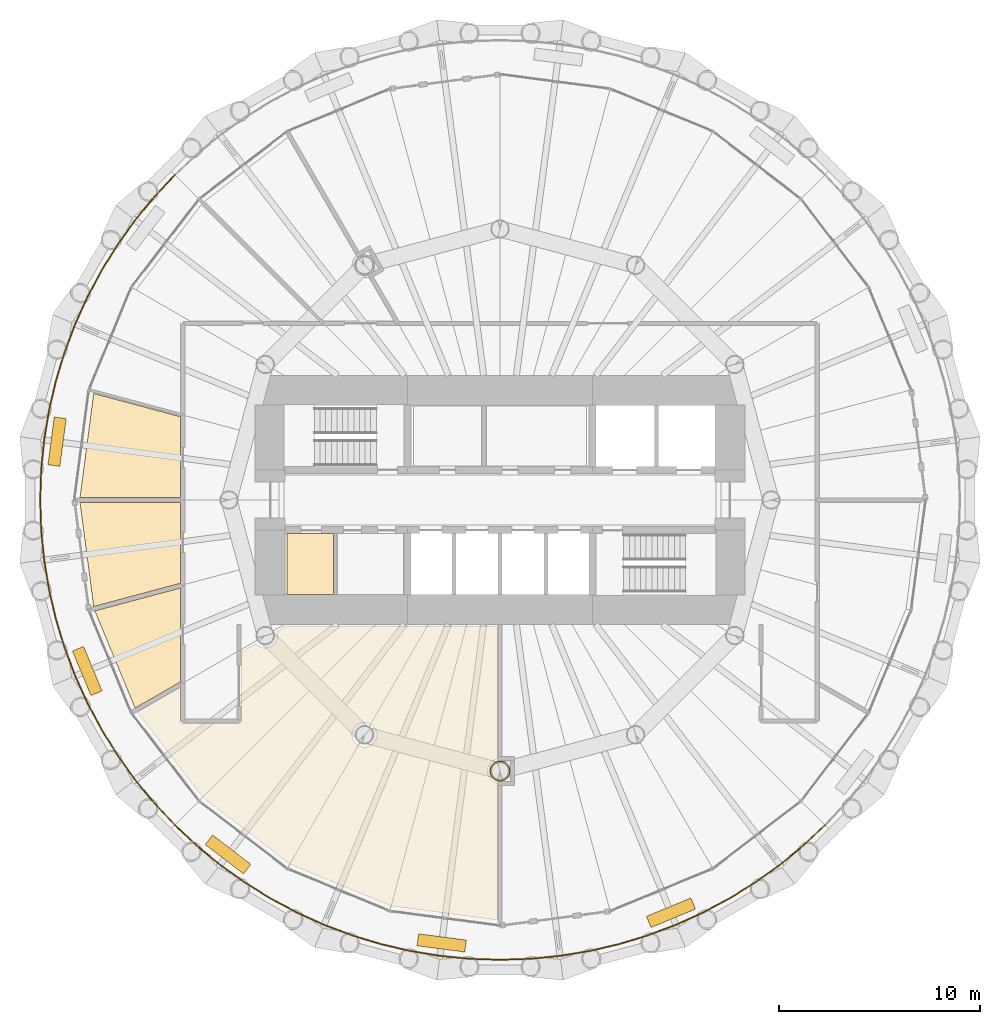
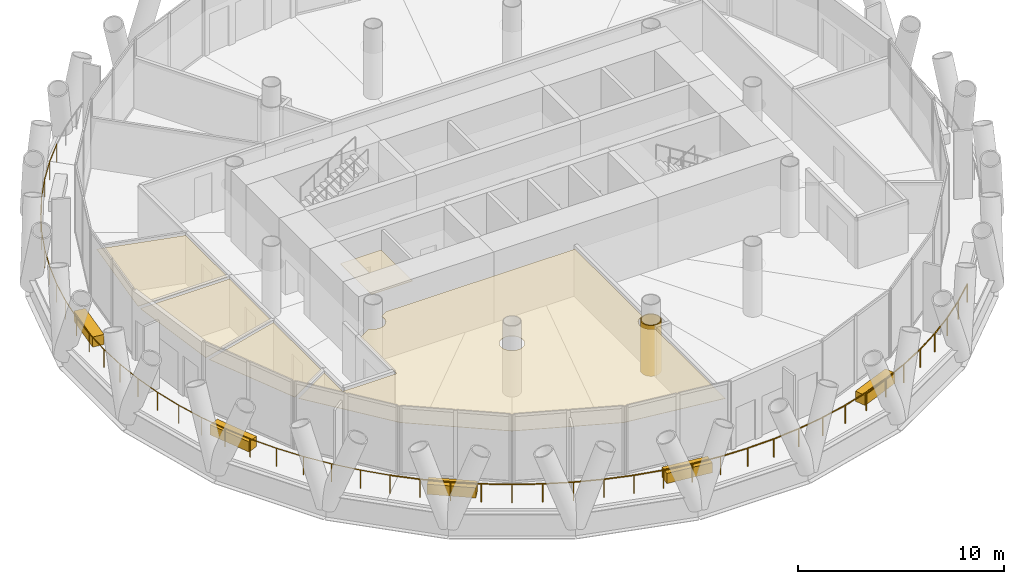
# One storey, part 12 of 14: 11 coverings, 2 railings.
"""IFC4 building model written with IfcOpenShell, lengths in metres."""

from ifc_helpers import new_model, si_unit, direction, frame, origin, origin_2d, place, context, subcontext, project, spatial, polyline, rectangle, circle, outline, extrude, material, layer, layer_set, type_object, element, save


model = new_model("IFC4")

# Units and contexts
model_context = context("Model", 3, precision=1e-05, world=origin(), true_north=direction((0.0, 1.0)))
body_context = subcontext(model_context, "Body", "Model", "MODEL_VIEW")
ifc_project = project(units=[si_unit("LENGTHUNIT", "METRE"), si_unit("AREAUNIT", "SQUARE_METRE"), si_unit("VOLUMEUNIT", "CUBIC_METRE"), si_unit("PLANEANGLEUNIT", "RADIAN"), si_unit("MASSUNIT", "GRAM", prefix="KILO")], contexts=[model_context])

# Site, building, storey
site_placement = place(None, origin())
site = spatial("IfcSite", under=ifc_project, at=site_placement, CompositionType="ELEMENT")
building_placement = place(site_placement, origin())
building = spatial("IfcBuilding", under=site, at=building_placement, Name="Qaws Media Tower", CompositionType="ELEMENT")
storey_placement = place(building_placement, frame((0.0, 0.0, 202.39990234375)))
storey = spatial("IfcBuildingStorey", under=building, at=storey_placement, Name="L46", CompositionType="ELEMENT", Elevation=202.39990234375)

# Railings
ifc_material_1 = material(Name="Stainless steel and glass guard", Category="steel")
railing_type = type_object("IfcRailingType", Name="Balcony guard 1100", PredefinedType="GUARDRAIL", material=ifc_material_1)
railing_1_placement = place(storey_placement, frame((43.807373046875, 66.192626953125, 0.0)))
element("IfcRailing", 1, at=railing_1_placement, inside=storey, type_object=railing_type, Name="GR1 balcony guard L46-2", PredefinedType="GUARDRAIL", context=body_context, shape_type="SweptSolid", body=[
    extrude(circle(Radius=0.02392578125, at=origin_2d()), frame((0.0, 0.0, 1.076171875), z_axis=(-0.683675509579, -0.729786131412, 0.0), x_axis=(0.729786131412, -0.683675509579, 0.0)), (0.0, 0.0, 1.0), 1.498291015625),
    extrude(circle(Radius=0.02392578125, at=origin_2d()), frame((-1.0244140625, -1.093505859375, 1.076171875), z_axis=(-0.634381518416, -0.773020109112, 0.0), x_axis=(0.773020109112, -0.634381518416, 0.0)), (0.0, 0.0, 1.0), 1.49853515625),
    extrude(circle(Radius=0.02392578125, at=origin_2d()), frame((-1.97509765625, -2.251953125, 1.076171875), z_axis=(-0.582578137613, -0.812774700378, 0.0), x_axis=(0.812774700378, -0.582578137613, 0.0)), (0.0, 0.0, 1.0), 1.49853515625),
    extrude(circle(Radius=0.02392578125, at=origin_2d()), frame((-2.84814453125, -3.469970703125, 1.076171875), z_axis=(-0.527991284342, -0.84924978873, 0.0), x_axis=(0.84924978873, -0.527991284342, 0.0)), (0.0, 0.0, 1.0), 1.49853515625),
    extrude(circle(Radius=0.02392578125, at=origin_2d()), frame((-3.639404296875, -4.74267578125, 1.076171875), z_axis=(-0.471357606408, -0.881942178876, 0.0), x_axis=(0.881942178876, -0.471357606408, 0.0)), (0.0, 0.0, 1.0), 1.49853515625),
    extrude(circle(Radius=0.02392578125, at=origin_2d()), frame((-4.345703125, -6.064208984375, 1.076171875), z_axis=(-0.412673353066, -0.910879082902, 0.0), x_axis=(0.910879082902, -0.412673353066, 0.0)), (0.0, 0.0, 1.0), 1.49853515625),
    extrude(circle(Radius=0.02392578125, at=origin_2d()), frame((-4.964111328125, -7.42919921875, 1.076171875), z_axis=(-0.352408662738, -0.935846213022, 0.0), x_axis=(0.935846213022, -0.352408662738, 0.0)), (0.0, 0.0, 1.0), 1.49853515625),
    extrude(circle(Radius=0.02392578125, at=origin_2d()), frame((-5.4921875, -8.83154296875, 1.076171875), z_axis=(-0.290156607475, -0.956979175917, 0.0), x_axis=(0.956979175917, -0.290156607475, 0.0)), (0.0, 0.0, 1.0), 1.49853515625),
    extrude(circle(Radius=0.02392578125, at=origin_2d()), frame((-5.927001953125, -10.265625, 1.076171875), z_axis=(-0.227095715315, -0.973872443437, 0.0), x_axis=(0.973872443437, -0.227095715315, 0.0)), (0.0, 0.0, 1.0), 1.49853515625),
    extrude(circle(Radius=0.02392578125, at=origin_2d()), frame((-6.267333984375, -11.72509765625, 1.076171875), z_axis=(-0.162919318839, -0.98663939489, 0.0), x_axis=(0.98663939489, -0.162919318839, 0.0)), (0.0, 0.0, 1.0), 1.49853515625),
    extrude(circle(Radius=0.02392578125, at=origin_2d()), frame((-6.511474609375, -13.20361328125, 1.076171875), z_axis=(-0.098084027218, -0.995178136619, 0.0), x_axis=(0.995178136619, -0.098084027218, 0.0)), (0.0, 0.0, 1.0), 1.49853515625),
    extrude(circle(Radius=0.02392578125, at=origin_2d()), frame((-6.658447265625, -14.69482421875, 1.076171875), z_axis=(-0.032582528068, -0.999469048478, 0.0), x_axis=(0.999469048478, -0.032582528068, 0.0)), (0.0, 0.0, 1.0), 1.49853515625),
    extrude(circle(Radius=0.02392578125, at=origin_2d()), frame((-6.707275390625, -16.192626953125, 1.076171875), z_axis=(0.032582528068, -0.999469048478, 0.0), x_axis=(0.999469048478, 0.032582528068, 0.0)), (0.0, 0.0, 1.0), 1.49853515625),
    extrude(circle(Radius=0.02392578125, at=origin_2d()), frame((-6.658447265625, -17.6904296875, 1.076171875), z_axis=(0.098084027218, -0.995178136619, 0.0), x_axis=(0.995178136619, 0.098084027218, 0.0)), (0.0, 0.0, 1.0), 1.49853515625),
    extrude(circle(Radius=0.02392578125, at=origin_2d()), frame((-6.511474609375, -19.181640625, 1.076171875), z_axis=(0.162919318839, -0.98663939489, 0.0), x_axis=(0.98663939489, 0.162919318839, 0.0)), (0.0, 0.0, 1.0), 1.49853515625),
    extrude(circle(Radius=0.02392578125, at=origin_2d()), frame((-6.267333984375, -20.66015625, 1.076171875), z_axis=(0.227095715315, -0.973872443437, 0.0), x_axis=(0.973872443437, 0.227095715315, 0.0)), (0.0, 0.0, 1.0), 1.49853515625),
    extrude(circle(Radius=0.02392578125, at=origin_2d()), frame((-5.927001953125, -22.11962890625, 1.076171875), z_axis=(0.290156607475, -0.956979175917, 0.0), x_axis=(0.956979175917, 0.290156607475, 0.0)), (0.0, 0.0, 1.0), 1.49853515625),
    extrude(circle(Radius=0.02392578125, at=origin_2d()), frame((-5.4921875, -23.5537109375, 1.076171875), z_axis=(0.352408662738, -0.935846213022, 0.0), x_axis=(0.935846213022, 0.352408662738, 0.0)), (0.0, 0.0, 1.0), 1.49853515625),
    extrude(circle(Radius=0.02392578125, at=origin_2d()), frame((-4.964111328125, -24.9560546875, 1.076171875), z_axis=(0.412673353066, -0.910879082902, 0.0), x_axis=(0.910879082902, 0.412673353066, 0.0)), (0.0, 0.0, 1.0), 1.49853515625),
    extrude(circle(Radius=0.02392578125, at=origin_2d()), frame((-4.345703125, -26.321044921875, 1.076171875), z_axis=(0.471357606408, -0.881942178876, 0.0), x_axis=(0.881942178876, 0.471357606408, 0.0)), (0.0, 0.0, 1.0), 1.49853515625),
    extrude(circle(Radius=0.02392578125, at=origin_2d()), frame((-3.639404296875, -27.642578125, 1.076171875), z_axis=(0.527991284342, -0.84924978873, 0.0), x_axis=(0.84924978873, 0.527991284342, 0.0)), (0.0, 0.0, 1.0), 1.49853515625),
    extrude(circle(Radius=0.02392578125, at=origin_2d()), frame((-2.84814453125, -28.915283203125, 1.076171875), z_axis=(0.582578137613, -0.812774700378, 0.0), x_axis=(0.812774700378, 0.582578137613, 0.0)), (0.0, 0.0, 1.0), 1.49853515625),
    extrude(circle(Radius=0.02392578125, at=origin_2d()), frame((-1.97509765625, -30.13330078125, 1.076171875), z_axis=(0.634381518416, -0.773020109112, 0.0), x_axis=(0.773020109112, 0.634381518416, 0.0)), (0.0, 0.0, 1.0), 1.49853515625),
    extrude(circle(Radius=0.02392578125, at=origin_2d()), frame((-1.0244140625, -31.291748046875, 1.076171875), z_axis=(0.683675509579, -0.729786131412, 0.0), x_axis=(0.729786131412, 0.683675509579, 0.0)), (0.0, 0.0, 1.0), 1.498291015625),
    extrude(circle(Radius=0.02099609375, at=origin_2d()), origin(), (0.0, 0.0, 1.0), 1.052001953125),
    extrude(circle(Radius=0.02099609375, at=origin_2d()), frame((-1.0244140625, -1.093505859375, 0.0)), (0.0, 0.0, 1.0), 1.052001953125),
    extrude(circle(Radius=0.02099609375, at=origin_2d()), frame((-1.97509765625, -2.251953125, 0.0)), (0.0, 0.0, 1.0), 1.052001953125),
    extrude(circle(Radius=0.02099609375, at=origin_2d()), frame((-2.84814453125, -3.469970703125, 0.0)), (0.0, 0.0, 1.0), 1.052001953125),
    extrude(circle(Radius=0.02099609375, at=origin_2d()), frame((-3.639404296875, -4.74267578125, 0.0)), (0.0, 0.0, 1.0), 1.052001953125),
    extrude(circle(Radius=0.02099609375, at=origin_2d()), frame((-4.345703125, -6.064208984375, 0.0)), (0.0, 0.0, 1.0), 1.052001953125),
    extrude(circle(Radius=0.02099609375, at=origin_2d()), frame((-4.964111328125, -7.42919921875, 0.0)), (0.0, 0.0, 1.0), 1.052001953125),
    extrude(circle(Radius=0.02099609375, at=origin_2d()), frame((-5.4921875, -8.83154296875, 0.0)), (0.0, 0.0, 1.0), 1.052001953125),
    extrude(circle(Radius=0.02099609375, at=origin_2d()), frame((-5.927001953125, -10.265625, 0.0)), (0.0, 0.0, 1.0), 1.052001953125),
    extrude(circle(Radius=0.02099609375, at=origin_2d()), frame((-6.267333984375, -11.72509765625, 0.0)), (0.0, 0.0, 1.0), 1.052001953125),
    extrude(circle(Radius=0.02099609375, at=origin_2d()), frame((-6.511474609375, -13.20361328125, 0.0)), (0.0, 0.0, 1.0), 1.052001953125),
    extrude(circle(Radius=0.02099609375, at=origin_2d()), frame((-6.658447265625, -14.69482421875, 0.0)), (0.0, 0.0, 1.0), 1.052001953125),
    extrude(circle(Radius=0.02099609375, at=origin_2d()), frame((-6.707275390625, -16.192626953125, 0.0)), (0.0, 0.0, 1.0), 1.052001953125),
    extrude(circle(Radius=0.02099609375, at=origin_2d()), frame((-6.658447265625, -17.6904296875, 0.0)), (0.0, 0.0, 1.0), 1.052001953125),
    extrude(circle(Radius=0.02099609375, at=origin_2d()), frame((-6.511474609375, -19.181640625, 0.0)), (0.0, 0.0, 1.0), 1.052001953125),
    extrude(circle(Radius=0.02099609375, at=origin_2d()), frame((-6.267333984375, -20.66015625, 0.0)), (0.0, 0.0, 1.0), 1.052001953125),
    extrude(circle(Radius=0.02099609375, at=origin_2d()), frame((-5.927001953125, -22.11962890625, 0.0)), (0.0, 0.0, 1.0), 1.052001953125),
    extrude(circle(Radius=0.02099609375, at=origin_2d()), frame((-5.4921875, -23.5537109375, 0.0)), (0.0, 0.0, 1.0), 1.052001953125),
    extrude(circle(Radius=0.02099609375, at=origin_2d()), frame((-4.964111328125, -24.9560546875, 0.0)), (0.0, 0.0, 1.0), 1.052001953125),
    extrude(circle(Radius=0.02099609375, at=origin_2d()), frame((-4.345703125, -26.321044921875, 0.0)), (0.0, 0.0, 1.0), 1.052001953125),
    extrude(circle(Radius=0.02099609375, at=origin_2d()), frame((-3.639404296875, -27.642578125, 0.0)), (0.0, 0.0, 1.0), 1.052001953125),
    extrude(circle(Radius=0.02099609375, at=origin_2d()), frame((-2.84814453125, -28.915283203125, 0.0)), (0.0, 0.0, 1.0), 1.052001953125),
    extrude(circle(Radius=0.02099609375, at=origin_2d()), frame((-1.97509765625, -30.13330078125, 0.0)), (0.0, 0.0, 1.0), 1.052001953125),
    extrude(circle(Radius=0.02099609375, at=origin_2d()), frame((-1.0244140625, -31.291748046875, 0.0)), (0.0, 0.0, 1.0), 1.052001953125),
    extrude(circle(Radius=0.02099609375, at=origin_2d()), frame((0.0, -32.38525390625, 0.0)), (0.0, 0.0, 1.0), 1.052001953125),
])
railing_2_placement = place(storey_placement, frame((43.807373046875, 33.807373046875, 0.0)))
element("IfcRailing", 2, at=railing_2_placement, inside=storey, type_object=railing_type, Name="GR1 balcony guard L46-3", PredefinedType="GUARDRAIL", context=body_context, shape_type="SweptSolid", body=[
    extrude(circle(Radius=0.02392578125, at=origin_2d()), frame((0.0, 0.0, 1.076171875), z_axis=(0.729786131412, -0.683675509579, 0.0), x_axis=(0.683675509579, 0.729786131412, 0.0)), (0.0, 0.0, 1.0), 1.498291015625),
    extrude(circle(Radius=0.02392578125, at=origin_2d()), frame((1.093505859375, -1.0244140625, 1.076171875), z_axis=(0.773020109112, -0.634381518416, 0.0), x_axis=(0.634381518416, 0.773020109112, 0.0)), (0.0, 0.0, 1.0), 1.49853515625),
    extrude(circle(Radius=0.02392578125, at=origin_2d()), frame((2.251953125, -1.97509765625, 1.076171875), z_axis=(0.812774700378, -0.582578137613, 0.0), x_axis=(0.582578137613, 0.812774700378, 0.0)), (0.0, 0.0, 1.0), 1.49853515625),
    extrude(circle(Radius=0.02392578125, at=origin_2d()), frame((3.469970703125, -2.84814453125, 1.076171875), z_axis=(0.84924978873, -0.527991284342, 0.0), x_axis=(0.527991284342, 0.84924978873, 0.0)), (0.0, 0.0, 1.0), 1.49853515625),
    extrude(circle(Radius=0.02392578125, at=origin_2d()), frame((4.74267578125, -3.639404296875, 1.076171875), z_axis=(0.881942178876, -0.471357606408, 0.0), x_axis=(0.471357606408, 0.881942178876, 0.0)), (0.0, 0.0, 1.0), 1.49853515625),
    extrude(circle(Radius=0.02392578125, at=origin_2d()), frame((6.064208984375, -4.345703125, 1.076171875), z_axis=(0.910879082902, -0.412673353066, 0.0), x_axis=(0.412673353066, 0.910879082902, 0.0)), (0.0, 0.0, 1.0), 1.49853515625),
    extrude(circle(Radius=0.02392578125, at=origin_2d()), frame((7.42919921875, -4.964111328125, 1.076171875), z_axis=(0.935846213022, -0.352408662738, 0.0), x_axis=(0.352408662738, 0.935846213022, 0.0)), (0.0, 0.0, 1.0), 1.49853515625),
    extrude(circle(Radius=0.02392578125, at=origin_2d()), frame((8.83154296875, -5.4921875, 1.076171875), z_axis=(0.956979175917, -0.290156607475, 0.0), x_axis=(0.290156607475, 0.956979175917, 0.0)), (0.0, 0.0, 1.0), 1.49853515625),
    extrude(circle(Radius=0.02392578125, at=origin_2d()), frame((10.265625, -5.927001953125, 1.076171875), z_axis=(0.973872443437, -0.227095715315, 0.0), x_axis=(0.227095715315, 0.973872443437, 0.0)), (0.0, 0.0, 1.0), 1.49853515625),
    extrude(circle(Radius=0.02392578125, at=origin_2d()), frame((11.72509765625, -6.267333984375, 1.076171875), z_axis=(0.98663939489, -0.162919318839, 0.0), x_axis=(0.162919318839, 0.98663939489, 0.0)), (0.0, 0.0, 1.0), 1.49853515625),
    extrude(circle(Radius=0.02392578125, at=origin_2d()), frame((13.20361328125, -6.511474609375, 1.076171875), z_axis=(0.995178136619, -0.098084027218, 0.0), x_axis=(0.098084027218, 0.995178136619, 0.0)), (0.0, 0.0, 1.0), 1.49853515625),
    extrude(circle(Radius=0.02392578125, at=origin_2d()), frame((14.69482421875, -6.658447265625, 1.076171875), z_axis=(0.999469048478, -0.032582528068, 0.0), x_axis=(0.032582528068, 0.999469048478, 0.0)), (0.0, 0.0, 1.0), 1.49853515625),
    extrude(circle(Radius=0.02392578125, at=origin_2d()), frame((16.192626953125, -6.707275390625, 1.076171875), z_axis=(0.999469048478, 0.032582528068, 0.0), x_axis=(-0.032582528068, 0.999469048478, 0.0)), (0.0, 0.0, 1.0), 1.49853515625),
    extrude(circle(Radius=0.02392578125, at=origin_2d()), frame((17.6904296875, -6.658447265625, 1.076171875), z_axis=(0.995178136619, 0.098084027218, 0.0), x_axis=(-0.098084027218, 0.995178136619, 0.0)), (0.0, 0.0, 1.0), 1.49853515625),
    extrude(circle(Radius=0.02392578125, at=origin_2d()), frame((19.181640625, -6.511474609375, 1.076171875), z_axis=(0.98663939489, 0.162919318839, 0.0), x_axis=(-0.162919318839, 0.98663939489, 0.0)), (0.0, 0.0, 1.0), 1.49853515625),
    extrude(circle(Radius=0.02392578125, at=origin_2d()), frame((20.66015625, -6.267333984375, 1.076171875), z_axis=(0.973872443437, 0.227095715315, 0.0), x_axis=(-0.227095715315, 0.973872443437, 0.0)), (0.0, 0.0, 1.0), 1.49853515625),
    extrude(circle(Radius=0.02392578125, at=origin_2d()), frame((22.11962890625, -5.927001953125, 1.076171875), z_axis=(0.956979175917, 0.290156607475, 0.0), x_axis=(-0.290156607475, 0.956979175917, 0.0)), (0.0, 0.0, 1.0), 1.49853515625),
    extrude(circle(Radius=0.02392578125, at=origin_2d()), frame((23.5537109375, -5.4921875, 1.076171875), z_axis=(0.935846213022, 0.352408662738, 0.0), x_axis=(-0.352408662738, 0.935846213022, 0.0)), (0.0, 0.0, 1.0), 1.49853515625),
    extrude(circle(Radius=0.02392578125, at=origin_2d()), frame((24.9560546875, -4.964111328125, 1.076171875), z_axis=(0.910879082902, 0.412673353066, 0.0), x_axis=(-0.412673353066, 0.910879082902, 0.0)), (0.0, 0.0, 1.0), 1.49853515625),
    extrude(circle(Radius=0.02392578125, at=origin_2d()), frame((26.321044921875, -4.345703125, 1.076171875), z_axis=(0.881942178876, 0.471357606408, 0.0), x_axis=(-0.471357606408, 0.881942178876, 0.0)), (0.0, 0.0, 1.0), 1.49853515625),
    extrude(circle(Radius=0.02392578125, at=origin_2d()), frame((27.642578125, -3.639404296875, 1.076171875), z_axis=(0.84924978873, 0.527991284342, 0.0), x_axis=(-0.527991284342, 0.84924978873, 0.0)), (0.0, 0.0, 1.0), 1.49853515625),
    extrude(circle(Radius=0.02392578125, at=origin_2d()), frame((28.915283203125, -2.84814453125, 1.076171875), z_axis=(0.812774700378, 0.582578137613, 0.0), x_axis=(-0.582578137613, 0.812774700378, 0.0)), (0.0, 0.0, 1.0), 1.49853515625),
    extrude(circle(Radius=0.02392578125, at=origin_2d()), frame((30.13330078125, -1.97509765625, 1.076171875), z_axis=(0.773020109112, 0.634381518416, 0.0), x_axis=(-0.634381518416, 0.773020109112, 0.0)), (0.0, 0.0, 1.0), 1.49853515625),
    extrude(circle(Radius=0.02392578125, at=origin_2d()), frame((31.291748046875, -1.0244140625, 1.076171875), z_axis=(0.729786131412, 0.683675509579, 0.0), x_axis=(-0.683675509579, 0.729786131412, 0.0)), (0.0, 0.0, 1.0), 1.498291015625),
    extrude(circle(Radius=0.02099609375, at=origin_2d()), origin(), (0.0, 0.0, 1.0), 1.052001953125),
    extrude(circle(Radius=0.02099609375, at=origin_2d()), frame((1.093505859375, -1.0244140625, 0.0)), (0.0, 0.0, 1.0), 1.052001953125),
    extrude(circle(Radius=0.02099609375, at=origin_2d()), frame((2.251953125, -1.97509765625, 0.0)), (0.0, 0.0, 1.0), 1.052001953125),
    extrude(circle(Radius=0.02099609375, at=origin_2d()), frame((3.469970703125, -2.84814453125, 0.0)), (0.0, 0.0, 1.0), 1.052001953125),
    extrude(circle(Radius=0.02099609375, at=origin_2d()), frame((4.74267578125, -3.639404296875, 0.0)), (0.0, 0.0, 1.0), 1.052001953125),
    extrude(circle(Radius=0.02099609375, at=origin_2d()), frame((6.064208984375, -4.345703125, 0.0)), (0.0, 0.0, 1.0), 1.052001953125),
    extrude(circle(Radius=0.02099609375, at=origin_2d()), frame((7.42919921875, -4.964111328125, 0.0)), (0.0, 0.0, 1.0), 1.052001953125),
    extrude(circle(Radius=0.02099609375, at=origin_2d()), frame((8.83154296875, -5.4921875, 0.0)), (0.0, 0.0, 1.0), 1.052001953125),
    extrude(circle(Radius=0.02099609375, at=origin_2d()), frame((10.265625, -5.927001953125, 0.0)), (0.0, 0.0, 1.0), 1.052001953125),
    extrude(circle(Radius=0.02099609375, at=origin_2d()), frame((11.72509765625, -6.267333984375, 0.0)), (0.0, 0.0, 1.0), 1.052001953125),
    extrude(circle(Radius=0.02099609375, at=origin_2d()), frame((13.20361328125, -6.511474609375, 0.0)), (0.0, 0.0, 1.0), 1.052001953125),
    extrude(circle(Radius=0.02099609375, at=origin_2d()), frame((14.69482421875, -6.658447265625, 0.0)), (0.0, 0.0, 1.0), 1.052001953125),
    extrude(circle(Radius=0.02099609375, at=origin_2d()), frame((16.192626953125, -6.707275390625, 0.0)), (0.0, 0.0, 1.0), 1.052001953125),
    extrude(circle(Radius=0.02099609375, at=origin_2d()), frame((17.6904296875, -6.658447265625, 0.0)), (0.0, 0.0, 1.0), 1.052001953125),
    extrude(circle(Radius=0.02099609375, at=origin_2d()), frame((19.181640625, -6.511474609375, 0.0)), (0.0, 0.0, 1.0), 1.052001953125),
    extrude(circle(Radius=0.02099609375, at=origin_2d()), frame((20.66015625, -6.267333984375, 0.0)), (0.0, 0.0, 1.0), 1.052001953125),
    extrude(circle(Radius=0.02099609375, at=origin_2d()), frame((22.11962890625, -5.927001953125, 0.0)), (0.0, 0.0, 1.0), 1.052001953125),
    extrude(circle(Radius=0.02099609375, at=origin_2d()), frame((23.5537109375, -5.4921875, 0.0)), (0.0, 0.0, 1.0), 1.052001953125),
    extrude(circle(Radius=0.02099609375, at=origin_2d()), frame((24.9560546875, -4.964111328125, 0.0)), (0.0, 0.0, 1.0), 1.052001953125),
    extrude(circle(Radius=0.02099609375, at=origin_2d()), frame((26.321044921875, -4.345703125, 0.0)), (0.0, 0.0, 1.0), 1.052001953125),
    extrude(circle(Radius=0.02099609375, at=origin_2d()), frame((27.642578125, -3.639404296875, 0.0)), (0.0, 0.0, 1.0), 1.052001953125),
    extrude(circle(Radius=0.02099609375, at=origin_2d()), frame((28.915283203125, -2.84814453125, 0.0)), (0.0, 0.0, 1.0), 1.052001953125),
    extrude(circle(Radius=0.02099609375, at=origin_2d()), frame((30.13330078125, -1.97509765625, 0.0)), (0.0, 0.0, 1.0), 1.052001953125),
    extrude(circle(Radius=0.02099609375, at=origin_2d()), frame((31.291748046875, -1.0244140625, 0.0)), (0.0, 0.0, 1.0), 1.052001953125),
    extrude(circle(Radius=0.02099609375, at=origin_2d()), frame((32.38525390625, 0.0, 0.0)), (0.0, 0.0, 1.0), 1.052001953125),
])

# Coverings
ifc_material_2 = material(Name="Two layers 15 fire-rated gypsum board on steel framing", Category="steel")
ifc_layer_1 = layer(ifc_material_2, 0.050048828125)
ifc_layer_set_1 = layer_set([ifc_layer_1], Name="Column fire casing")
covering_type_1 = type_object("IfcCoveringType", Name="Column fire casing", PredefinedType="CLADDING", material=ifc_layer_set_1)
covering_1_placement = place(storey_placement, origin())
element("IfcCovering", 3, at=covering_1_placement, inside=storey, type_object=covering_type_1, Name="CC1 column casing L46", PredefinedType="CLADDING", context=body_context, shape_type="SweptSolid", body=[
    extrude(outline(polyline([(60.511962890625, 36.5), (60.507568359375, 36.43310546875), (60.49462890625, 36.367431640625), (60.472900390625, 36.30419921875), (60.443359375, 36.243896484375), (60.40625, 36.188232421875), (60.362060546875, 36.137939453125), (60.311767578125, 36.09375), (60.256103515625, 36.056640625), (60.19580078125, 36.027099609375), (60.132568359375, 36.00537109375), (60.06689453125, 35.992431640625), (60.0, 35.988037109375), (59.93310546875, 35.992431640625), (59.867431640625, 36.00537109375), (59.80419921875, 36.027099609375), (59.743896484375, 36.056640625), (59.688232421875, 36.09375), (59.637939453125, 36.137939453125), (59.59375, 36.188232421875), (59.556640625, 36.243896484375), (59.527099609375, 36.30419921875), (59.50537109375, 36.367431640625), (59.492431640625, 36.43310546875), (59.488037109375, 36.5), (59.492431640625, 36.56689453125), (59.50537109375, 36.632568359375), (59.527099609375, 36.69580078125), (59.556640625, 36.756103515625), (59.59375, 36.811767578125), (59.637939453125, 36.862060546875), (59.688232421875, 36.90625), (59.743896484375, 36.943359375), (59.80419921875, 36.972900390625), (59.867431640625, 36.99462890625), (59.93310546875, 37.007568359375), (60.0, 37.011962890625), (60.06689453125, 37.007568359375), (60.132568359375, 36.99462890625), (60.19580078125, 36.972900390625), (60.256103515625, 36.943359375), (60.311767578125, 36.90625), (60.362060546875, 36.862060546875), (60.40625, 36.811767578125), (60.443359375, 36.756103515625), (60.472900390625, 36.69580078125), (60.49462890625, 36.632568359375), (60.507568359375, 36.56689453125), (60.511962890625, 36.5)]), holes=[polyline([(60.4599609375, 36.5), (60.4560546875, 36.43994140625), (60.4443359375, 36.380859375), (60.425048828125, 36.323974609375), (60.3984375, 36.27001953125), (60.364990234375, 36.219970703125), (60.3251953125, 36.1748046875), (60.280029296875, 36.135009765625), (60.22998046875, 36.1015625), (60.176025390625, 36.074951171875), (60.119140625, 36.0556640625), (60.06005859375, 36.0439453125), (60.0, 36.0400390625), (59.93994140625, 36.0439453125), (59.880859375, 36.0556640625), (59.823974609375, 36.074951171875), (59.77001953125, 36.1015625), (59.719970703125, 36.135009765625), (59.6748046875, 36.1748046875), (59.635009765625, 36.219970703125), (59.6015625, 36.27001953125), (59.574951171875, 36.323974609375), (59.5556640625, 36.380859375), (59.5439453125, 36.43994140625), (59.5400390625, 36.5), (59.5439453125, 36.56005859375), (59.5556640625, 36.619140625), (59.574951171875, 36.676025390625), (59.6015625, 36.72998046875), (59.635009765625, 36.780029296875), (59.6748046875, 36.8251953125), (59.719970703125, 36.864990234375), (59.77001953125, 36.8984375), (59.823974609375, 36.925048828125), (59.880859375, 36.9443359375), (59.93994140625, 36.9560546875), (60.0, 36.9599609375), (60.06005859375, 36.9560546875), (60.119140625, 36.9443359375), (60.176025390625, 36.925048828125), (60.22998046875, 36.8984375), (60.280029296875, 36.864990234375), (60.3251953125, 36.8251953125), (60.364990234375, 36.780029296875), (60.3984375, 36.72998046875), (60.425048828125, 36.676025390625), (60.4443359375, 36.619140625), (60.4560546875, 36.56005859375), (60.4599609375, 36.5)])]), origin(), (0.0, 0.0, 1.0), 3.01220703125),
])
ifc_material_3 = material(Name="600 x 600 mineral fibre tiles in exposed grid, suspended", Category="mineral fibre")
ifc_layer_2 = layer(ifc_material_3, 0.02001953125)
ifc_layer_set_2 = layer_set([ifc_layer_2], Name="Mineral fibre tile ceiling 20")
covering_type_2 = type_object("IfcCoveringType", Name="Mineral fibre tile ceiling 20", PredefinedType="CEILING", material=ifc_layer_set_2)
covering_2_placement = place(storey_placement, frame((0.0, 0.0, 2.85009765625)))
element("IfcCovering", 4, at=covering_2_placement, inside=storey, type_object=covering_type_2, Name="CL1 ceiling L46-05 Edit room", PredefinedType="CEILING", context=body_context, shape_type="SweptSolid", body=[
    extrude(outline(polyline([(39.76318359375, 55.305908203125), (44.08740234375, 54.147216796875), (44.08740234375, 50.112548828125), (39.07958984375, 50.112548828125), (39.76318359375, 55.305908203125)])), origin(), (0.0, 0.0, 1.0), 0.02001953125),
])
covering_3_placement = place(storey_placement, frame((0.0, 0.0, 2.85009765625)))
element("IfcCovering", 5, at=covering_3_placement, inside=storey, type_object=covering_type_2, Name="CL1 ceiling L46-06 Edit room", PredefinedType="CEILING", context=body_context, shape_type="SweptSolid", body=[
    extrude(outline(polyline([(39.07958984375, 49.887451171875), (44.08740234375, 49.887451171875), (44.08740234375, 45.852783203125), (39.76318359375, 44.694091796875), (39.07958984375, 49.887451171875)])), origin(), (0.0, 0.0, 1.0), 0.02001953125),
])
covering_4_placement = place(storey_placement, frame((0.0, 0.0, 2.85009765625)))
element("IfcCovering", 6, at=covering_4_placement, inside=storey, type_object=covering_type_2, Name="CL1 ceiling L46-07 Edit room", PredefinedType="CEILING", context=body_context, shape_type="SweptSolid", body=[
    extrude(outline(polyline([(39.821533203125, 44.476806640625), (44.08740234375, 45.619873046875), (44.08740234375, 40.94287109375), (41.826171875, 39.63720703125), (39.821533203125, 44.476806640625)])), origin(), (0.0, 0.0, 1.0), 0.02001953125),
])
covering_5_placement = place(storey_placement, frame((0.0, 0.0, 2.85009765625)))
element("IfcCovering", 7, at=covering_5_placement, inside=storey, type_object=covering_type_2, Name="CL1 ceiling L46-08 Tenant studio office", PredefinedType="CEILING", context=body_context, shape_type="SweptSolid", body=[
    extrude(outline(polyline([(54.58154296875, 29.778076171875), (49.532470703125, 31.86962890625), (45.196533203125, 35.196533203125), (41.938720703125, 39.4423828125), (44.08740234375, 40.68310546875), (44.08740234375, 38.887451171875), (47.112548828125, 38.887451171875), (47.112548828125, 42.429443359375), (47.840576171875, 42.849853515625), (47.872314453125, 42.813720703125), (47.93310546875, 42.760498046875), (48.000244140625, 42.7158203125), (48.072509765625, 42.679931640625), (48.14892578125, 42.654052734375), (48.22802734375, 42.63818359375), (48.30859375, 42.633056640625), (48.38916015625, 42.63818359375), (48.46826171875, 42.654052734375), (48.544921875, 42.679931640625), (48.6171875, 42.7158203125), (48.684326171875, 42.760498046875), (48.744873046875, 42.813720703125), (48.798095703125, 42.87451171875), (48.843017578125, 42.94140625), (48.878662109375, 43.013916015625), (48.904541015625, 43.09033203125), (48.92041015625, 43.16943359375), (48.92578125, 43.25), (48.92041015625, 43.33056640625), (48.904541015625, 43.40966796875), (48.88916015625, 43.455322265625), (49.29150390625, 43.6875), (59.887451171875, 43.6875), (59.887451171875, 37.10546875), (59.84033203125, 37.095947265625), (59.763916015625, 37.070068359375), (59.69140625, 37.0341796875), (59.62451171875, 36.989501953125), (59.563720703125, 36.936279296875), (59.510498046875, 36.87548828125), (59.4658203125, 36.80859375), (59.429931640625, 36.736083984375), (59.404052734375, 36.65966796875), (59.38818359375, 36.58056640625), (59.383056640625, 36.5), (59.38818359375, 36.41943359375), (59.404052734375, 36.34033203125), (59.429931640625, 36.263916015625), (59.4658203125, 36.19140625), (59.510498046875, 36.12451171875), (59.563720703125, 36.063720703125), (59.62451171875, 36.010498046875), (59.69140625, 35.9658203125), (59.763916015625, 35.929931640625), (59.84033203125, 35.904052734375), (59.887451171875, 35.89453125), (59.887451171875, 29.07958984375), (54.58154296875, 29.778076171875)]), holes=[polyline([(53.845947265625, 38.14892578125), (53.86181640625, 38.22802734375), (53.866943359375, 38.30859375), (53.86181640625, 38.38916015625), (53.845947265625, 38.46826171875), (53.820068359375, 38.544921875), (53.7841796875, 38.6171875), (53.739501953125, 38.684326171875), (53.686279296875, 38.744873046875), (53.62548828125, 38.798095703125), (53.55859375, 38.843017578125), (53.486083984375, 38.878662109375), (53.40966796875, 38.904541015625), (53.33056640625, 38.92041015625), (53.25, 38.92578125), (53.16943359375, 38.92041015625), (53.09033203125, 38.904541015625), (53.013916015625, 38.878662109375), (52.94140625, 38.843017578125), (52.87451171875, 38.798095703125), (52.813720703125, 38.744873046875), (52.760498046875, 38.684326171875), (52.7158203125, 38.6171875), (52.679931640625, 38.544921875), (52.654052734375, 38.46826171875), (52.63818359375, 38.38916015625), (52.633056640625, 38.30859375), (52.63818359375, 38.22802734375), (52.654052734375, 38.14892578125), (52.679931640625, 38.072509765625), (52.7158203125, 38.000244140625), (52.760498046875, 37.93310546875), (52.813720703125, 37.872314453125), (52.87451171875, 37.819091796875), (52.94140625, 37.7744140625), (53.013916015625, 37.738525390625), (53.09033203125, 37.712646484375), (53.16943359375, 37.697021484375), (53.25, 37.691650390625), (53.33056640625, 37.697021484375), (53.40966796875, 37.712646484375), (53.486083984375, 37.738525390625), (53.55859375, 37.7744140625), (53.62548828125, 37.819091796875), (53.686279296875, 37.872314453125), (53.739501953125, 37.93310546875), (53.7841796875, 38.000244140625), (53.820068359375, 38.072509765625), (53.845947265625, 38.14892578125)])]), origin(), (0.0, 0.0, 1.0), 0.02001953125),
])
ifc_material_4 = material(Name="Precast concrete planter with trailing planting", Category="concrete")
ifc_layer_3 = layer(ifc_material_4, 0.60009765625)
ifc_layer_set_3 = layer_set([ifc_layer_3], Name="Planter 2400x600")
covering_type_3 = type_object("IfcCoveringType", Name="Planter 2400x600", PredefinedType="USERDEFINED", material=ifc_layer_set_3)
for number, where, z_axis, x_axis, name in (
    (8, (37.9404296875, 52.904296875, 0.0), (0.0, 0.0, 1.0), (-0.13052619222, -0.991444861374, 0.0), "PL1 balcony planter L46-06"),
    (9, (39.443603515625, 41.4853515625, 0.0), (0.0, 0.0, 1.0), (0.382683432365, -0.923879532511, 0.0), "PL1 balcony planter L46-07"),
    (10, (46.455078125, 32.347900390625, 0.0), (0.0, 0.0, 1.0), (0.793353340291, -0.608761429009, 0.0), "PL1 balcony planter L46-08"),
    (11, (57.095703125, 27.9404296875, 0.0), (0.0, 0.0, 1.0), (0.991444861374, -0.13052619222, 0.0), "PL1 balcony planter L46-09"),
    (12, (68.5146484375, 29.443603515625, 0.0), (0.0, 0.0, 1.0), (0.923879532511, 0.382683432365, 0.0), "PL1 balcony planter L46-10"),
):
    element("IfcCovering", number, at=place(storey_placement, frame(where, z_axis=z_axis, x_axis=x_axis)), inside=storey, type_object=covering_type_3, Name=name, ObjectType="PLANTER", PredefinedType="USERDEFINED", context=body_context, shape_type="SweptSolid", body=[
        extrude(rectangle(XDim=2.39990234375, YDim=0.60009765625, at=origin_2d()), origin(), (0.0, 0.0, 1.0), 0.60009765625),
    ])
ifc_material_5 = material(Name="Two layers 12.5 moisture-resistant plasterboard on suspended metal furring", Category="gypsum")
ifc_layer_4 = layer(ifc_material_5, 0.02490234375)
ifc_layer_set_4 = layer_set([ifc_layer_4], Name="Plasterboard ceiling 25")
covering_type_4 = type_object("IfcCoveringType", Name="Plasterboard ceiling 25", PredefinedType="CEILING", material=ifc_layer_set_4)
covering_6_placement = place(storey_placement, frame((0.0, 0.0, 2.85009765625)))
element("IfcCovering", 13, at=covering_6_placement, inside=storey, type_object=covering_type_4, Name="CL2 ceiling L46-C04 Accessible WC", PredefinedType="CEILING", context=body_context, shape_type="SweptSolid", body=[
    extrude(outline(polyline([(49.39990234375, 45.300048828125), (49.39990234375, 48.324951171875), (51.699951171875, 48.324951171875), (51.699951171875, 45.300048828125), (49.39990234375, 45.300048828125)])), origin(), (0.0, 0.0, 1.0), 0.02490234375),
])

save(model, "model.ifc")
